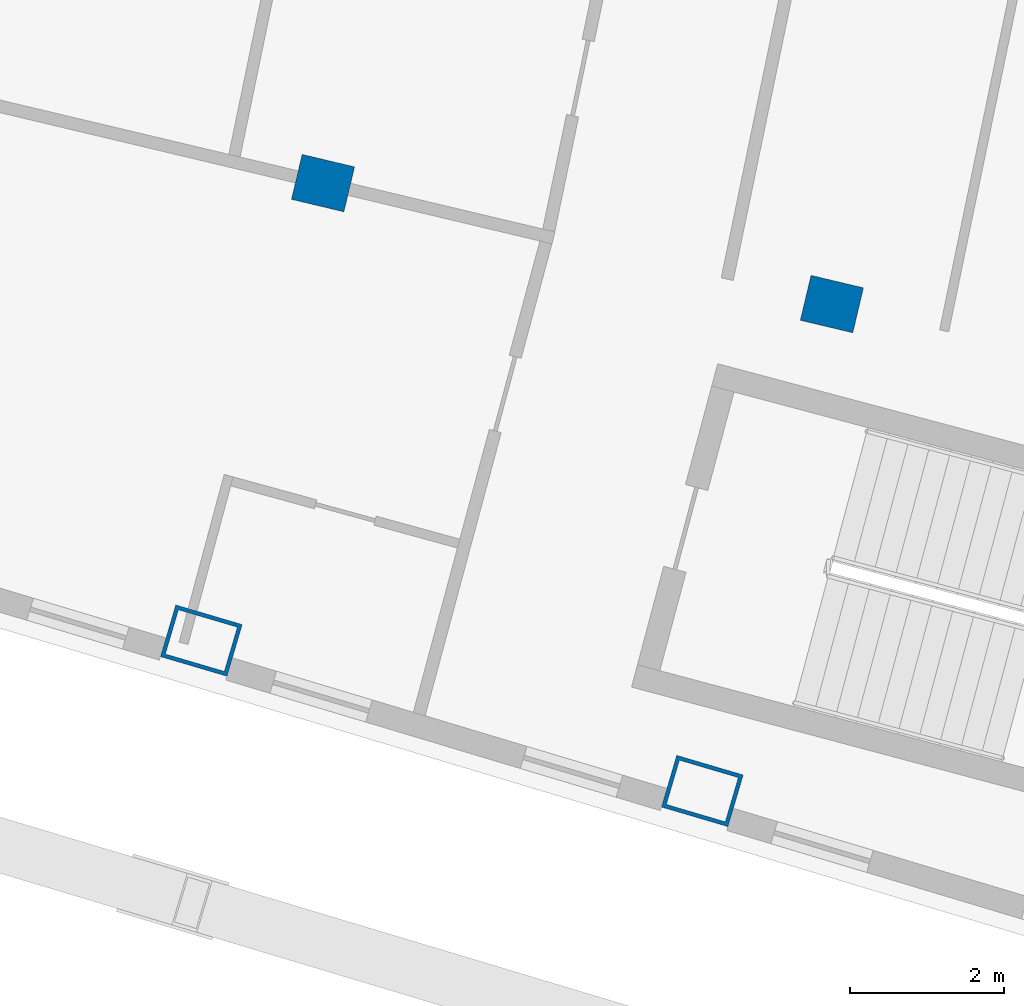
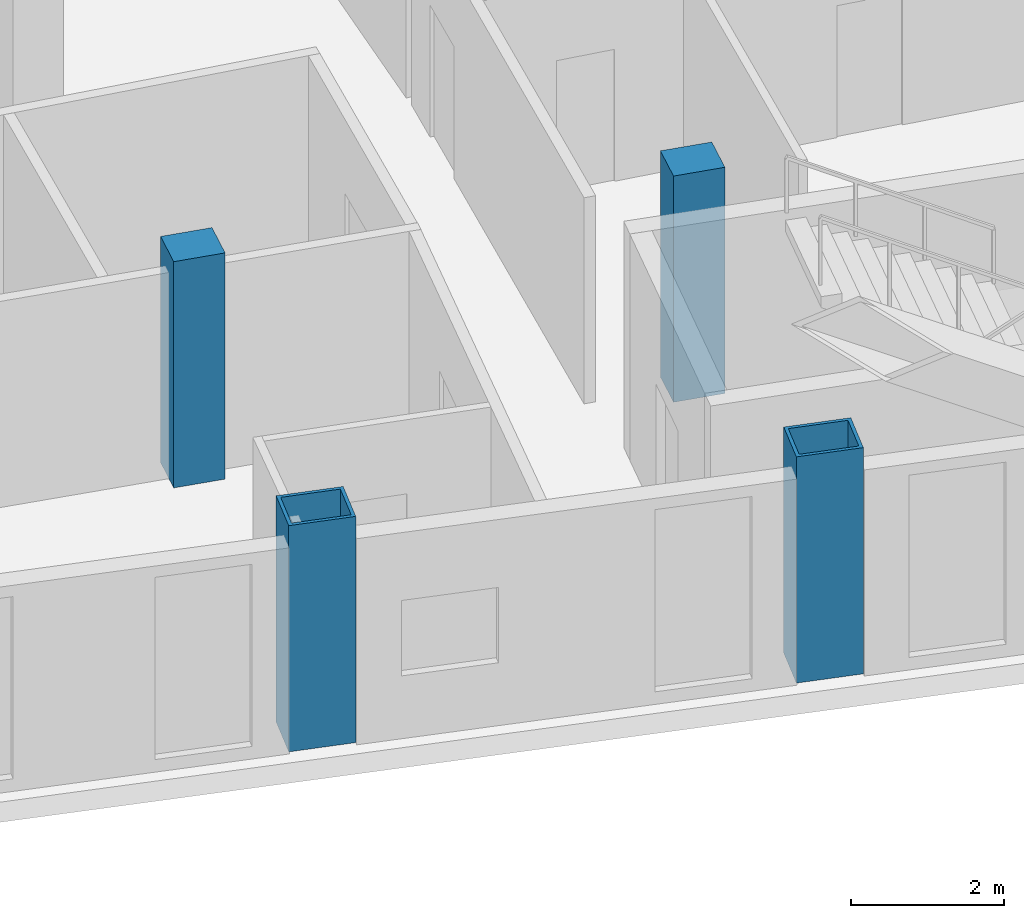
# One storey, part 2 of 21: 4 columns.
"""IFC4 building model written with IfcOpenShell, lengths in metres."""

from ifc_helpers import new_model, si_unit, direction, frame, origin, origin_2d, place, context, subcontext, project, spatial, rectangle, hollow_rectangle, extrude, material, material_profile, profile_set, type_object, element, save


model = new_model("IFC4")

# Units and contexts
model_context = context("Model", 3, precision=1e-05, world=origin(), true_north=direction((0.0, 1.0)))
body_context = subcontext(model_context, "Body", "Model", "MODEL_VIEW")
ifc_project = project(units=[si_unit("LENGTHUNIT", "METRE"), si_unit("AREAUNIT", "SQUARE_METRE"), si_unit("VOLUMEUNIT", "CUBIC_METRE"), si_unit("PLANEANGLEUNIT", "RADIAN"), si_unit("MASSUNIT", "GRAM", prefix="KILO")], contexts=[model_context])

# Site, building, storey
site_placement = place(None, origin())
site = spatial("IfcSite", under=ifc_project, at=site_placement, CompositionType="ELEMENT")
building_placement = place(site_placement, origin())
building = spatial("IfcBuilding", under=site, at=building_placement, Name="Alderwake Tower", CompositionType="ELEMENT")
storey_placement = place(building_placement, frame((0.0, 0.0, 267.199951171875)))
storey = spatial("IfcBuildingStorey", under=building, at=storey_placement, Name="L66", CompositionType="ELEMENT", Elevation=267.199951171875)

# Columns
ifc_material_1 = material(Name="Steel ASTM A572 Grade 50 concrete filled C70/85", Category="concrete")
ifc_material_profile_1 = material_profile(ifc_material_1, hollow_rectangle(XDim=0.699951171875, YDim=0.89990234375, WallThickness=0.050048828125, at=origin_2d()), Name="BOX 900X700X50")
ifc_profile_set_1 = profile_set([ifc_material_profile_1], Name="Steel ASTM A572 Grade 50 concrete filled C70/85")
column_type_1 = type_object("IfcColumnType", Name="End column Z5", PredefinedType="COLUMN", material=ifc_profile_set_1)
for number, where, z_axis, x_axis, name in (
    (1, (31.080322265625, 28.27685546875, 0.0), (0.0, 0.0, 1.0), (0.282582549822, 0.959242984095, 0.0), "Column R02-C2"),
    (2, (37.59326171875, 26.321533203125, 0.0), (0.0, 0.0, 1.0), (0.282858780249, 0.959161566388, 0.0), "Column R02-C3"),
):
    element("IfcColumn", number, at=place(storey_placement, frame(where, z_axis=z_axis, x_axis=x_axis)), inside=storey, type_object=column_type_1, Name=name, PredefinedType="COLUMN", context=body_context, shape_type="SweptSolid", body=[
        extrude(hollow_rectangle(XDim=0.699951171875, YDim=0.89990234375, WallThickness=0.050048828125, at=origin_2d()), origin(), (0.0, 0.0, 1.0), 3.60009765625),
    ])
ifc_material_2 = material(Name="Concrete C70/85", Category="concrete")
ifc_material_profile_2 = material_profile(ifc_material_2, rectangle(XDim=0.60009765625, YDim=0.699951171875, at=origin_2d()), Name="RC 700X600")
ifc_profile_set_2 = profile_set([ifc_material_profile_2], Name="Concrete C70/85")
column_type_2 = type_object("IfcColumnType", Name="Interior column Z5", PredefinedType="COLUMN", material=ifc_profile_set_2)
for number, where, z_axis, x_axis, name in (
    (3, (32.661865234375, 34.224609375, 0.0), (0.0, 0.0, 1.0), (0.231221547198, 0.972901123502, 0.0), "Column R03-C2"),
    (4, (39.277587890625, 32.652099609375, 0.0), (0.0, 0.0, 1.0), (0.231221547198, 0.972901123502, 0.0), "Column R03-C3"),
):
    element("IfcColumn", number, at=place(storey_placement, frame(where, z_axis=z_axis, x_axis=x_axis)), inside=storey, type_object=column_type_2, Name=name, PredefinedType="COLUMN", context=body_context, shape_type="SweptSolid", body=[
        extrude(rectangle(XDim=0.60009765625, YDim=0.699951171875, at=origin_2d()), origin(), (0.0, 0.0, 1.0), 3.60009765625),
    ])

save(model, "model.ifc")
